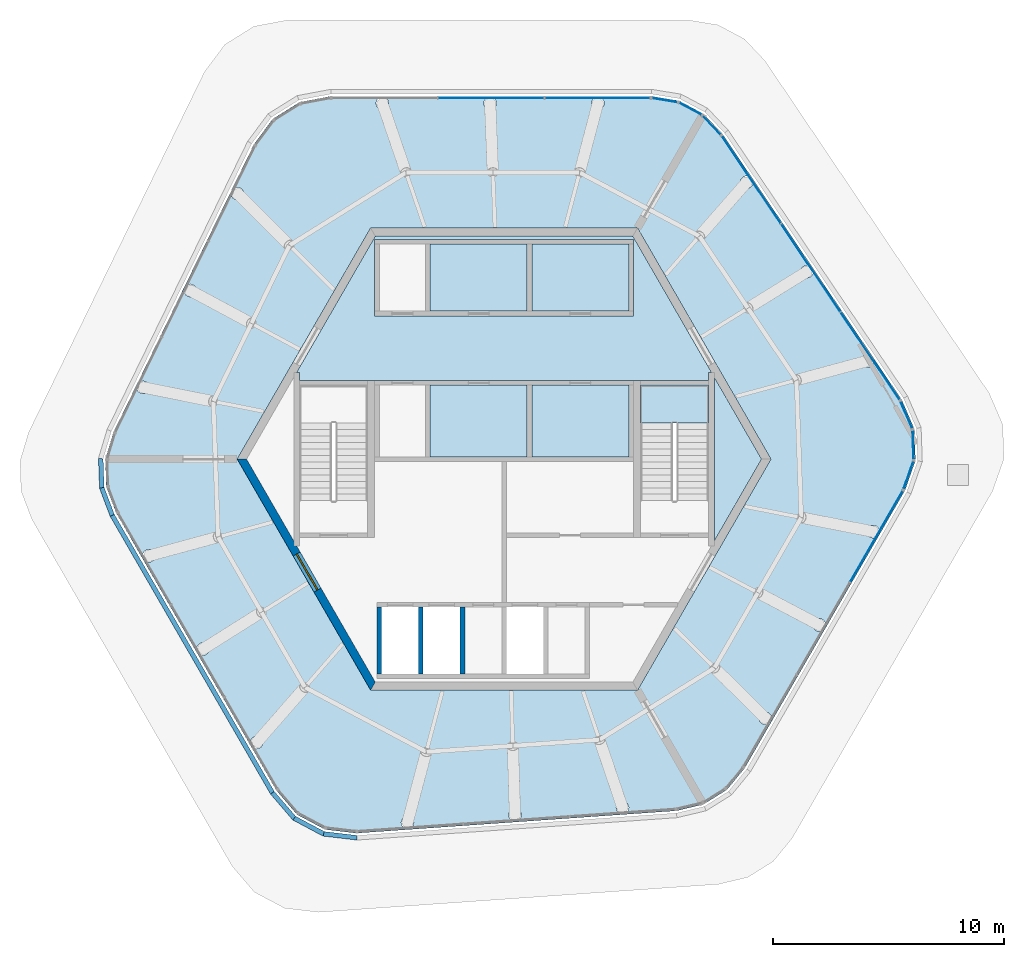
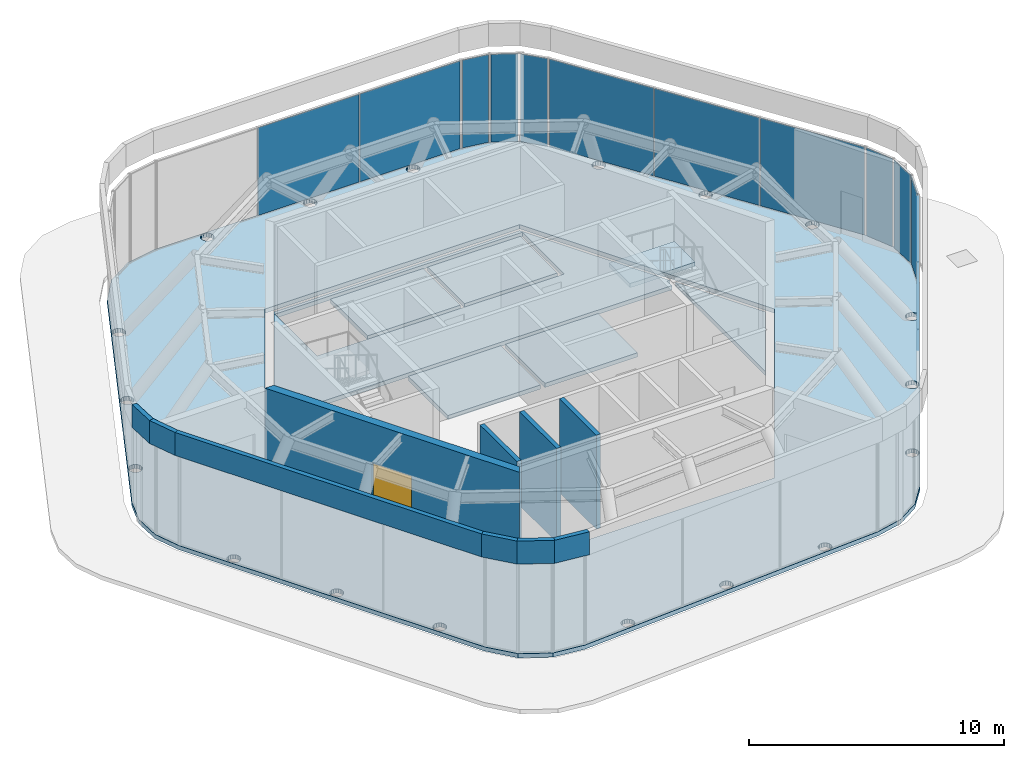
# One storey, part 6 of 9: 12 plates, 10 walls, 8 slabs, 1 door, 1 opening, 10 elements without a shape of their own.
"""IFC4 building model written with IfcOpenShell, lengths in metres."""

from ifc_helpers import new_model, si_unit, direction, frame, frame_2d, origin, origin_2d, place, context, subcontext, project, spatial, polyline, rectangle, outline, extrude, material, layer, layer_set, type_object, element, fill, aggregate, save


model = new_model("IFC4")

# Units and contexts
model_context = context("Model", 3, precision=1e-05, world=origin(), true_north=direction((0.0, 1.0)))
body_context = subcontext(model_context, "Body", "Model", "MODEL_VIEW")
ifc_project = project(units=[si_unit("LENGTHUNIT", "METRE"), si_unit("AREAUNIT", "SQUARE_METRE"), si_unit("VOLUMEUNIT", "CUBIC_METRE"), si_unit("PLANEANGLEUNIT", "RADIAN"), si_unit("MASSUNIT", "GRAM", prefix="KILO")], contexts=[model_context])

# Site, building, storey
site_placement = place(None, origin())
site = spatial("IfcSite", under=ifc_project, at=site_placement, CompositionType="ELEMENT")
building_placement = place(site_placement, origin())
building = spatial("IfcBuilding", under=site, at=building_placement, Name="Tarnside Tower", CompositionType="ELEMENT")
storey_placement = place(building_placement, frame((0.0, 0.0, 397.199951171875)))
storey = spatial("IfcBuildingStorey", under=building, at=storey_placement, Name="L94", CompositionType="ELEMENT", Elevation=397.199951171875)

# Slabs
ifc_material_1 = material(Name="Concrete C35/45", Category="concrete")
ifc_layer_1 = layer(ifc_material_1, 0.199951171875)
ifc_layer_set_1 = layer_set([ifc_layer_1], Name="Composite floor slab 200")
slab_type_1 = type_object("IfcSlabType", Name="Composite floor slab 200", PredefinedType="FLOOR", material=ifc_layer_set_1)
slab_1_placement = place(storey_placement, frame((0.0, 0.0, -0.199951171875)))
element("IfcSlab", 1, at=slab_1_placement, inside=storey, type_object=slab_type_1, Name="Floor slab L94", PredefinedType="FLOOR", context=body_context, shape_type="SweptSolid", body=[
    extrude(outline(polyline([(-16.908203125, 1.147705078125), (-10.823974609375, 13.6220703125), (-10.006103515625, 14.720703125), (-8.844482421875, 15.446533203125), (-7.498291015625, 15.699951171875), (6.380615234375, 15.699951171875), (7.564697265625, 15.50537109375), (8.62451171875, 14.94189453125), (9.447998046875, 14.069091796875), (17.208984375, 2.562744140625), (17.75146484375, 1.30517578125), (17.79931640625, -0.063720703125), (17.345703125, -1.356201171875), (10.40625, -13.375732421875), (9.645751953125, -14.303955078125), (8.6279296875, -14.93994140625), (7.460205078125, -15.216796875), (-6.385009765625, -16.184814453125), (-7.745361328125, -16.02587890625), (-8.954833984375, -15.3828125), (-9.847412109375, -14.34375), (-16.786865234375, -2.32421875), (-17.21044921875, -1.201416015625), (-17.252197265625, -0.001953125), (-16.908203125, 1.147705078125)]), holes=[polyline([(-11.547119140625, 0.0), (-5.7734375, -10.0), (5.7734375, -10.0), (11.547119140625, 0.0), (5.7734375, 10.0), (-5.7734375, 10.0), (-11.547119140625, 0.0)]), polyline([(4.25390625, 15.59375), (4.1650390625, 15.653076171875), (4.060302734375, 15.674072265625), (3.955322265625, 15.653076171875), (3.866455078125, 15.59375), (3.80712890625, 15.5048828125), (3.786376953125, 15.39990234375), (3.80712890625, 15.295166015625), (3.866455078125, 15.206298828125), (3.955322265625, 15.14697265625), (4.060302734375, 15.1259765625), (4.1650390625, 15.14697265625), (4.25390625, 15.206298828125), (4.3134765625, 15.295166015625), (4.334228515625, 15.39990234375), (4.3134765625, 15.5048828125), (4.25390625, 15.59375)]), polyline([(-0.350341796875, 15.5048828125), (-0.40966796875, 15.59375), (-0.49853515625, 15.653076171875), (-0.603515625, 15.674072265625), (-0.708251953125, 15.653076171875), (-0.797119140625, 15.59375), (-0.856689453125, 15.5048828125), (-0.87744140625, 15.39990234375), (-0.856689453125, 15.295166015625), (-0.797119140625, 15.206298828125), (-0.708251953125, 15.14697265625), (-0.603515625, 15.1259765625), (-0.49853515625, 15.14697265625), (-0.40966796875, 15.206298828125), (-0.350341796875, 15.295166015625), (-0.329345703125, 15.39990234375), (-0.350341796875, 15.5048828125)]), polyline([(-4.9931640625, 15.39990234375), (-5.013916015625, 15.5048828125), (-5.073486328125, 15.59375), (-5.162353515625, 15.653076171875), (-5.26708984375, 15.674072265625), (-5.3720703125, 15.653076171875), (-5.4609375, 15.59375), (-5.520263671875, 15.5048828125), (-5.541259765625, 15.39990234375), (-5.520263671875, 15.295166015625), (-5.4609375, 15.206298828125), (-5.3720703125, 15.14697265625), (-5.26708984375, 15.1259765625), (-5.162353515625, 15.14697265625), (-5.073486328125, 15.206298828125), (-5.013916015625, 15.295166015625), (-4.9931640625, 15.39990234375)]), polyline([(-11.279296875, 11.380126953125), (-11.258544921875, 11.485107421875), (-11.279296875, 11.58984375), (-11.338623046875, 11.6787109375), (-11.427490234375, 11.738037109375), (-11.532470703125, 11.759033203125), (-11.63720703125, 11.738037109375), (-11.726318359375, 11.6787109375), (-11.78564453125, 11.58984375), (-11.806396484375, 11.485107421875), (-11.78564453125, 11.380126953125), (-11.726318359375, 11.291259765625), (-11.63720703125, 11.23193359375), (-11.532470703125, 11.2109375), (-11.427490234375, 11.23193359375), (-11.338623046875, 11.291259765625), (-11.279296875, 11.380126953125)]), polyline([(-13.38330078125, 7.099609375), (-13.32373046875, 7.1884765625), (-13.302978515625, 7.293212890625), (-13.32373046875, 7.398193359375), (-13.38330078125, 7.487060546875), (-13.471923828125, 7.54638671875), (-13.576904296875, 7.5673828125), (-13.681884765625, 7.54638671875), (-13.770751953125, 7.487060546875), (-13.830078125, 7.398193359375), (-13.850830078125, 7.293212890625), (-13.830078125, 7.1884765625), (-13.770751953125, 7.099609375), (-13.681884765625, 7.0400390625), (-13.576904296875, 7.019287109375), (-13.471923828125, 7.0400390625), (-13.38330078125, 7.099609375)]), polyline([(-15.5166015625, 2.848388671875), (-15.427490234375, 2.90771484375), (-15.3681640625, 2.99658203125), (-15.347412109375, 3.1015625), (-15.3681640625, 3.206298828125), (-15.427490234375, 3.29541015625), (-15.5166015625, 3.354736328125), (-15.621337890625, 3.37548828125), (-15.726318359375, 3.354736328125), (-15.815185546875, 3.29541015625), (-15.87451171875, 3.206298828125), (-15.895263671875, 3.1015625), (-15.87451171875, 2.99658203125), (-15.815185546875, 2.90771484375), (-15.726318359375, 2.848388671875), (-15.621337890625, 2.827392578125), (-15.5166015625, 2.848388671875)]), polyline([(-15.366943359375, -4.457763671875), (-15.26220703125, -4.436767578125), (-15.173095703125, -4.37744140625), (-15.11376953125, -4.28857421875), (-15.093017578125, -4.18359375), (-15.11376953125, -4.078857421875), (-15.173095703125, -3.989990234375), (-15.26220703125, -3.9306640625), (-15.366943359375, -3.90966796875), (-15.4716796875, -3.9306640625), (-15.560791015625, -3.989990234375), (-15.6201171875, -4.078857421875), (-15.640869140625, -4.18359375), (-15.6201171875, -4.28857421875), (-15.560791015625, -4.37744140625), (-15.4716796875, -4.436767578125), (-15.366943359375, -4.457763671875)]), polyline([(-13.139892578125, -8.4755859375), (-13.03515625, -8.49658203125), (-12.93017578125, -8.4755859375), (-12.84130859375, -8.416259765625), (-12.781982421875, -8.327392578125), (-12.760986328125, -8.22265625), (-12.781982421875, -8.11767578125), (-12.84130859375, -8.02880859375), (-12.93017578125, -7.969482421875), (-13.03515625, -7.948486328125), (-13.139892578125, -7.969482421875), (-13.228759765625, -8.02880859375), (-13.2880859375, -8.11767578125), (-13.30908203125, -8.22265625), (-13.2880859375, -8.327392578125), (-13.228759765625, -8.416259765625), (-13.139892578125, -8.4755859375)]), polyline([(-10.89697265625, -12.455078125), (-10.80810546875, -12.5146484375), (-10.703125, -12.535400390625), (-10.598388671875, -12.5146484375), (-10.509521484375, -12.455078125), (-10.4501953125, -12.366455078125), (-10.42919921875, -12.261474609375), (-10.4501953125, -12.156494140625), (-10.509521484375, -12.06787109375), (-10.598388671875, -12.00830078125), (-10.703125, -11.987548828125), (-10.80810546875, -12.00830078125), (-10.89697265625, -12.06787109375), (-10.956298828125, -12.156494140625), (-10.977294921875, -12.261474609375), (-10.956298828125, -12.366455078125), (-10.89697265625, -12.455078125)]), polyline([(-4.43310546875, -15.834716796875), (-4.373779296875, -15.923583984375), (-4.284912109375, -15.98291015625), (-4.18017578125, -16.00390625), (-4.0751953125, -15.98291015625), (-3.986328125, -15.923583984375), (-3.927001953125, -15.834716796875), (-3.906005859375, -15.72998046875), (-3.927001953125, -15.625), (-3.986328125, -15.5361328125), (-4.0751953125, -15.476806640625), (-4.18017578125, -15.455810546875), (-4.284912109375, -15.476806640625), (-4.373779296875, -15.5361328125), (-4.43310546875, -15.625), (-4.4541015625, -15.72998046875), (-4.43310546875, -15.834716796875)]), polyline([(0.1982421875, -15.404541015625), (0.21923828125, -15.509521484375), (0.278564453125, -15.598388671875), (0.367431640625, -15.65771484375), (0.472412109375, -15.6787109375), (0.5771484375, -15.65771484375), (0.666015625, -15.598388671875), (0.725341796875, -15.509521484375), (0.746337890625, -15.404541015625), (0.725341796875, -15.2998046875), (0.666015625, -15.210693359375), (0.5771484375, -15.1513671875), (0.472412109375, -15.130615234375), (0.367431640625, -15.1513671875), (0.278564453125, -15.210693359375), (0.21923828125, -15.2998046875), (0.1982421875, -15.404541015625)]), polyline([(4.87158203125, -14.974365234375), (4.8505859375, -15.079345703125), (4.87158203125, -15.18408203125), (4.930908203125, -15.27294921875), (5.019775390625, -15.33251953125), (5.124755859375, -15.353271484375), (5.2294921875, -15.33251953125), (5.318359375, -15.27294921875), (5.377685546875, -15.18408203125), (5.398681640625, -15.079345703125), (5.377685546875, -14.974365234375), (5.318359375, -14.885498046875), (5.2294921875, -14.826171875), (5.124755859375, -14.805419921875), (5.019775390625, -14.826171875), (4.930908203125, -14.885498046875), (4.87158203125, -14.974365234375)]), polyline([(11.11279296875, -11.022705078125), (11.053466796875, -11.111572265625), (11.03271484375, -11.21630859375), (11.053466796875, -11.3212890625), (11.11279296875, -11.41015625), (11.201904296875, -11.469482421875), (11.306640625, -11.490234375), (11.41162109375, -11.469482421875), (11.50048828125, -11.41015625), (11.559814453125, -11.3212890625), (11.580810546875, -11.21630859375), (11.559814453125, -11.111572265625), (11.50048828125, -11.022705078125), (11.41162109375, -10.963134765625), (11.306640625, -10.9423828125), (11.201904296875, -10.963134765625), (11.11279296875, -11.022705078125)]), polyline([(13.53369140625, -6.92431640625), (13.44482421875, -6.983642578125), (13.385498046875, -7.072509765625), (13.364501953125, -7.177490234375), (13.385498046875, -7.2822265625), (13.44482421875, -7.37109375), (13.53369140625, -7.430419921875), (13.638427734375, -7.451416015625), (13.743408203125, -7.430419921875), (13.832275390625, -7.37109375), (13.8916015625, -7.2822265625), (13.91259765625, -7.177490234375), (13.8916015625, -7.072509765625), (13.832275390625, -6.983642578125), (13.743408203125, -6.92431640625), (13.638427734375, -6.9033203125), (13.53369140625, -6.92431640625)]), polyline([(15.970458984375, -2.864501953125), (15.865478515625, -2.885498046875), (15.776611328125, -2.94482421875), (15.71728515625, -3.03369140625), (15.6962890625, -3.138427734375), (15.71728515625, -3.243408203125), (15.776611328125, -3.332275390625), (15.865478515625, -3.3916015625), (15.970458984375, -3.41259765625), (16.0751953125, -3.3916015625), (16.1640625, -3.332275390625), (16.223388671875, -3.243408203125), (16.244384765625, -3.138427734375), (16.223388671875, -3.03369140625), (16.1640625, -2.94482421875), (16.0751953125, -2.885498046875), (15.970458984375, -2.864501953125)]), polyline([(15.8173828125, 4.498046875), (15.71240234375, 4.518798828125), (15.607666015625, 4.498046875), (15.518798828125, 4.438720703125), (15.45947265625, 4.349853515625), (15.4384765625, 4.244873046875), (15.45947265625, 4.14013671875), (15.518798828125, 4.05126953125), (15.607666015625, 3.99169921875), (15.71240234375, 3.970947265625), (15.8173828125, 3.99169921875), (15.90625, 4.05126953125), (15.9658203125, 4.14013671875), (15.986572265625, 4.244873046875), (15.9658203125, 4.349853515625), (15.90625, 4.438720703125), (15.8173828125, 4.498046875)]), polyline([(13.29833984375, 8.30517578125), (13.20947265625, 8.364501953125), (13.1044921875, 8.38525390625), (12.999755859375, 8.364501953125), (12.910888671875, 8.30517578125), (12.8515625, 8.21630859375), (12.83056640625, 8.111328125), (12.8515625, 8.006591796875), (12.910888671875, 7.91748046875), (12.999755859375, 7.858154296875), (13.1044921875, 7.83740234375), (13.20947265625, 7.858154296875), (13.29833984375, 7.91748046875), (13.35791015625, 8.006591796875), (13.378662109375, 8.111328125), (13.35791015625, 8.21630859375), (13.29833984375, 8.30517578125)]), polyline([(10.749755859375, 12.08251953125), (10.6904296875, 12.17138671875), (10.6015625, 12.23095703125), (10.49658203125, 12.251708984375), (10.391845703125, 12.23095703125), (10.302978515625, 12.17138671875), (10.243408203125, 12.08251953125), (10.22265625, 11.977783203125), (10.243408203125, 11.872802734375), (10.302978515625, 11.783935546875), (10.391845703125, 11.724609375), (10.49658203125, 11.70361328125), (10.6015625, 11.724609375), (10.6904296875, 11.783935546875), (10.749755859375, 11.872802734375), (10.770751953125, 11.977783203125), (10.749755859375, 12.08251953125)])]), origin(), (0.0, 0.0, 1.0), 0.199951171875),
])
ifc_material_2 = material(Name="Concrete C40/50", Category="concrete")
ifc_layer_2 = layer(ifc_material_2, 0.199951171875)
ifc_layer_set_2 = layer_set([ifc_layer_2], Name="Core crown slab C40/50")
slab_type_2 = type_object("IfcSlabType", Name="Core crown slab C40/50", PredefinedType="FLOOR", material=ifc_layer_set_2)
slab_2_placement = place(storey_placement, frame((0.0, 0.0, -0.199951171875)))
element("IfcSlab", 2, at=slab_2_placement, inside=storey, type_object=slab_type_2, Name="L94 core floor slab 1", PredefinedType="FLOOR", context=body_context, shape_type="SweptSolid", body=[
    extrude(outline(polyline([(5.5712890625, 9.64990234375), (8.97509765625, 3.7548828125), (8.85009765625, 3.7548828125), (8.85009765625, 3.39990234375), (5.89990234375, 3.39990234375), (5.60009765625, 3.39990234375), (-5.60009765625, 3.39990234375), (-5.89990234375, 3.39990234375), (-8.85009765625, 3.39990234375), (-8.85009765625, 3.7548828125), (-8.97509765625, 3.7548828125), (-5.5712890625, 9.64990234375), (5.5712890625, 9.64990234375)]), holes=[polyline([(-5.60009765625, 6.199951171875), (5.60009765625, 6.199951171875), (5.60009765625, 6.39990234375), (5.60009765625, 9.300048828125), (5.60009765625, 9.5), (-5.60009765625, 9.5), (-5.60009765625, 9.300048828125), (-5.60009765625, 6.39990234375), (-5.60009765625, 6.199951171875)])]), origin(), (0.0, 0.0, 1.0), 0.199951171875),
])
slab_3_placement = place(storey_placement, frame((0.0, 0.0, -0.199951171875)))
element("IfcSlab", 3, at=slab_3_placement, inside=storey, type_object=slab_type_2, Name="L94 core floor slab 4", PredefinedType="FLOOR", context=body_context, shape_type="SweptSolid", body=[
    extrude(outline(polyline([(9.10009765625, 3.538330078125), (11.142822265625, 0.0), (9.10009765625, -3.538330078125), (9.10009765625, 3.538330078125)])), origin(), (0.0, 0.0, 1.0), 0.199951171875),
])
slab_4_placement = place(storey_placement, frame((0.0, 0.0, -0.199951171875)))
element("IfcSlab", 4, at=slab_4_placement, inside=storey, type_object=slab_type_2, Name="L94 core floor slab 7", PredefinedType="FLOOR", context=body_context, shape_type="SweptSolid", body=[
    extrude(outline(polyline([(1.0, 3.199951171875), (1.0, 0.10009765625), (-3.199951171875, 0.10009765625), (-3.199951171875, 3.199951171875), (1.0, 3.199951171875)])), origin(), (0.0, 0.0, 1.0), 0.199951171875),
])
slab_5_placement = place(storey_placement, frame((0.0, 0.0, -0.199951171875)))
element("IfcSlab", 5, at=slab_5_placement, inside=storey, type_object=slab_type_2, Name="L94 core floor slab 8", PredefinedType="FLOOR", context=body_context, shape_type="SweptSolid", body=[
    extrude(outline(polyline([(1.199951171875, 3.199951171875), (5.39990234375, 3.199951171875), (5.39990234375, 0.10009765625), (1.199951171875, 0.10009765625), (1.199951171875, 3.199951171875)])), origin(), (0.0, 0.0, 1.0), 0.199951171875),
])
slab_6_placement = place(storey_placement, frame((0.0, 0.0, -0.199951171875)))
element("IfcSlab", 6, at=slab_6_placement, inside=storey, type_object=slab_type_2, Name="L94 core floor slab 13", PredefinedType="FLOOR", context=body_context, shape_type="SweptSolid", body=[
    extrude(outline(polyline([(1.0, 9.300048828125), (1.0, 6.39990234375), (-3.199951171875, 6.39990234375), (-3.199951171875, 9.300048828125), (1.0, 9.300048828125)])), origin(), (0.0, 0.0, 1.0), 0.199951171875),
])
slab_7_placement = place(storey_placement, frame((0.0, 0.0, -0.199951171875)))
element("IfcSlab", 7, at=slab_7_placement, inside=storey, type_object=slab_type_2, Name="L94 core floor slab 14", PredefinedType="FLOOR", context=body_context, shape_type="SweptSolid", body=[
    extrude(outline(polyline([(5.39990234375, 6.39990234375), (1.199951171875, 6.39990234375), (1.199951171875, 9.300048828125), (5.39990234375, 9.300048828125), (5.39990234375, 6.39990234375)])), origin(), (0.0, 0.0, 1.0), 0.199951171875),
])

# Curtain wall, plate
ifc_material_3 = material(Name="Crown glazing wall", Category="glass")
curtain_wall_type = type_object("IfcCurtainWallType", Name="Crown glazing wall", PredefinedType="NOTDEFINED", material=ifc_material_3)
curtain_wall_1_placement = place(storey_placement, origin())
curtain_wall_1 = element("IfcCurtainWall", 8, at=curtain_wall_1_placement, inside=storey, type_object=curtain_wall_type, Name="Crown glazing L94 01", PredefinedType="NOTDEFINED")
ifc_material_4 = material(Name="Low-iron safety glass", Category="glass")
ifc_layer_3 = layer(ifc_material_4, 0.028076171875)
ifc_layer_set_3 = layer_set([ifc_layer_3], Name="Crown glazing panel 28")
plate_type_1 = type_object("IfcPlateType", Name="Crown glazing panel 28", PredefinedType="CURTAIN_PANEL", material=ifc_layer_set_3)
plate_1_placement = place(storey_placement, frame((6.951904296875, 15.533203125, 0.05029296875), z_axis=(0.0, 0.0, 1.0), x_axis=(0.986761532077, -0.162177923324, 0.0)))
plate_1 = element("IfcPlate", 9, at=plate_1_placement, type_object=plate_type_1, Name="CW6 panel 1.1", PredefinedType="CURTAIN_PANEL", context=body_context, shape_type="SweptSolid", body=[
    extrude(rectangle(XDim=1.0947265625, YDim=0.028076171875, at=origin_2d()), origin(), (0.0, 0.0, 1.0), 4.199951171875),
])
aggregate(curtain_wall_1, [plate_1])

curtain_wall_2_placement = place(storey_placement, origin())
curtain_wall_2 = element("IfcCurtainWall", 10, at=curtain_wall_2_placement, inside=storey, type_object=curtain_wall_type, Name="Crown glazing L94 02", PredefinedType="NOTDEFINED")
plate_2_placement = place(storey_placement, frame((8.060791015625, 15.16015625, 0.05029296875), z_axis=(0.0, 0.0, 1.0), x_axis=(0.882947592916, -0.469471562678, 0.0)))
plate_2 = element("IfcPlate", 11, at=plate_2_placement, type_object=plate_type_1, Name="CW6 panel 1.1", PredefinedType="CURTAIN_PANEL", context=body_context, shape_type="SweptSolid", body=[
    extrude(rectangle(XDim=1.076416015625, YDim=0.028076171875, at=origin_2d()), origin(), (0.0, 0.0, 1.0), 4.199951171875),
])
aggregate(curtain_wall_2, [plate_2])

curtain_wall_3_placement = place(storey_placement, origin())
curtain_wall_3 = element("IfcCurtainWall", 12, at=curtain_wall_3_placement, inside=storey, type_object=curtain_wall_type, Name="Crown glazing L94 03", PredefinedType="NOTDEFINED")
plate_3_placement = place(storey_placement, frame((8.989990234375, 14.449462890625, 0.05029296875), z_axis=(0.0, 0.0, 1.0), x_axis=(0.686241638042, -0.727373641409, 0.0)))
plate_3 = element("IfcPlate", 13, at=plate_3_placement, type_object=plate_type_1, Name="CW6 panel 1.1", PredefinedType="CURTAIN_PANEL", context=body_context, shape_type="SweptSolid", body=[
    extrude(rectangle(XDim=1.0947265625, YDim=0.028076171875, at=origin_2d()), origin(), (0.0, 0.0, 1.0), 4.199951171875),
])
aggregate(curtain_wall_3, [plate_3])

curtain_wall_4_placement = place(storey_placement, origin())
curtain_wall_4 = element("IfcCurtainWall", 14, at=curtain_wall_4_placement, inside=storey, type_object=curtain_wall_type, Name="Crown glazing L94 05", PredefinedType="NOTDEFINED")
plate_4_placement = place(storey_placement, frame((17.409423828125, 1.914794921875, 0.05029296875), z_axis=(0.0, 0.0, 1.0), x_axis=(0.396079766194, -0.918216106813, 0.0)))
plate_4 = element("IfcPlate", 15, at=plate_4_placement, type_object=plate_type_1, Name="CW6 panel 1.1", PredefinedType="CURTAIN_PANEL", context=body_context, shape_type="SweptSolid", body=[
    extrude(rectangle(XDim=1.26318359375, YDim=0.028076171875, at=origin_2d()), origin(), (0.0, 0.0, 1.0), 4.199951171875),
])
aggregate(curtain_wall_4, [plate_4])

curtain_wall_5_placement = place(storey_placement, origin())
curtain_wall_5 = element("IfcCurtainWall", 16, at=curtain_wall_5_placement, inside=storey, type_object=curtain_wall_type, Name="Crown glazing L94 06", PredefinedType="NOTDEFINED")
plate_5_placement = place(storey_placement, frame((17.702880859375, 0.6181640625, 0.05029296875), z_axis=(0.0, 0.0, 1.0), x_axis=(0.034899497121, -0.999390827004, 0.0)))
plate_5 = element("IfcPlate", 17, at=plate_5_placement, type_object=plate_type_1, Name="CW6 panel 1.1", PredefinedType="CURTAIN_PANEL", context=body_context, shape_type="SweptSolid", body=[
    extrude(rectangle(XDim=1.242431640625, YDim=0.028076171875, at=origin_2d()), origin(), (0.0, 0.0, 1.0), 4.199951171875),
])
aggregate(curtain_wall_5, [plate_5])

curtain_wall_6_placement = place(storey_placement, origin())
curtain_wall_6 = element("IfcCurtainWall", 18, at=curtain_wall_6_placement, inside=storey, type_object=curtain_wall_type, Name="Crown glazing L94 07", PredefinedType="NOTDEFINED")
plate_6_placement = place(storey_placement, frame((17.50048828125, -0.69580078125, 0.05029296875), z_axis=(0.0, 0.0, 1.0), x_axis=(-0.331063417797, -0.943608506424, 0.0)))
plate_6 = element("IfcPlate", 19, at=plate_6_placement, type_object=plate_type_1, Name="CW6 panel 1.1", PredefinedType="CURTAIN_PANEL", context=body_context, shape_type="SweptSolid", body=[
    extrude(rectangle(XDim=1.26318359375, YDim=0.028076171875, at=origin_2d()), origin(), (0.0, 0.0, 1.0), 4.199951171875),
])
aggregate(curtain_wall_6, [plate_6])

# Curtain wall, plates
curtain_wall_7_placement = place(storey_placement, origin())
curtain_wall_7 = element("IfcCurtainWall", 20, at=curtain_wall_7_placement, inside=storey, type_object=curtain_wall_type, Name="Crown glazing L94 00", PredefinedType="NOTDEFINED")
ifc_material_5 = material(Name="Insulated aluminium panel", Category="aluminium")
ifc_layer_4 = layer(ifc_material_5, 0.028076171875)
ifc_layer_set_4 = layer_set([ifc_layer_4], Name="Crown glazing spandrel panel 28")
plate_type_2 = type_object("IfcPlateType", Name="Crown glazing spandrel panel 28", PredefinedType="CURTAIN_PANEL", material=ifc_layer_set_4)
plate_7_placement = place(storey_placement, frame((-0.5576171875, 15.6298828125, 0.05029296875), z_axis=(0.0, 0.0, 1.0), x_axis=(1.0, 0.0, 0.0)))
plate_7 = element("IfcPlate", 21, at=plate_7_placement, type_object=plate_type_2, Name="CW6 panel 2.1", PredefinedType="CURTAIN_PANEL", context=body_context, shape_type="SweptSolid", body=[
    extrude(rectangle(XDim=4.5634765625, YDim=0.028076171875, at=origin_2d()), origin(), (0.0, 0.0, 1.0), 4.199951171875),
])
plate_8_placement = place(storey_placement, frame((4.043212890625, 15.6298828125, 0.05029296875), z_axis=(0.0, 0.0, 1.0), x_axis=(1.0, 0.0, 0.0)))
plate_8 = element("IfcPlate", 22, at=plate_8_placement, type_object=plate_type_2, Name="CW6 panel 3.1", PredefinedType="CURTAIN_PANEL", context=body_context, shape_type="SweptSolid", body=[
    extrude(rectangle(XDim=4.53857421875, YDim=0.028076171875, at=origin_2d()), origin(), (0.0, 0.0, 1.0), 4.199951171875),
])
aggregate(curtain_wall_7, [plate_7, plate_8])

curtain_wall_8_placement = place(storey_placement, origin())
curtain_wall_8 = element("IfcCurtainWall", 23, at=curtain_wall_8_placement, inside=storey, type_object=curtain_wall_type, Name="Crown glazing L94 04", PredefinedType="NOTDEFINED")
plate_9_placement = place(storey_placement, frame((10.69677734375, 12.09228515625, 0.05029296875), z_axis=(0.0, 0.0, 1.0), x_axis=(0.559192903442, -0.829037572575, 0.0)))
plate_9 = element("IfcPlate", 24, at=plate_9_placement, type_object=plate_type_2, Name="CW6 panel 1.1", PredefinedType="CURTAIN_PANEL", context=body_context, shape_type="SweptSolid", body=[
    extrude(rectangle(XDim=4.53857421875, YDim=0.028076171875, at=origin_2d()), origin(), (0.0, 0.0, 1.0), 4.199951171875),
])
plate_10_placement = place(storey_placement, frame((13.269775390625, 8.27783203125, 0.05029296875), z_axis=(0.0, 0.0, 1.0), x_axis=(0.559192903442, -0.829037572575, 0.0)))
plate_10 = element("IfcPlate", 25, at=plate_10_placement, type_object=plate_type_2, Name="CW6 panel 2.1", PredefinedType="CURTAIN_PANEL", context=body_context, shape_type="SweptSolid", body=[
    extrude(rectangle(XDim=4.5634765625, YDim=0.028076171875, at=origin_2d()), origin(), (0.0, 0.0, 1.0), 4.199951171875),
])
plate_11_placement = place(storey_placement, frame((15.842529296875, 4.46337890625, 0.05029296875), z_axis=(0.0, 0.0, 1.0), x_axis=(0.559192903442, -0.829037572575, 0.0)))
plate_11 = element("IfcPlate", 26, at=plate_11_placement, type_object=plate_type_2, Name="CW6 panel 3.1", PredefinedType="CURTAIN_PANEL", context=body_context, shape_type="SweptSolid", body=[
    extrude(rectangle(XDim=4.53857421875, YDim=0.028076171875, at=origin_2d()), origin(), (0.0, 0.0, 1.0), 4.199951171875),
])
aggregate(curtain_wall_8, [plate_9, plate_10, plate_11])

# Curtain wall, plate
curtain_wall_9_placement = place(storey_placement, origin())
curtain_wall_9 = element("IfcCurtainWall", 27, at=curtain_wall_9_placement, inside=storey, type_object=curtain_wall_type, Name="Crown glazing L94 08", PredefinedType="NOTDEFINED")
plate_12_placement = place(storey_placement, frame((16.115234375, -3.347412109375, 0.05029296875), z_axis=(0.0, 0.0, 1.0), x_axis=(-0.500000000015, -0.866025403776, 0.0)))
plate_12 = element("IfcPlate", 28, at=plate_12_placement, type_object=plate_type_2, Name="CW6 panel 1.1", PredefinedType="CURTAIN_PANEL", context=body_context, shape_type="SweptSolid", body=[
    extrude(rectangle(XDim=4.53857421875, YDim=0.028076171875, at=origin_2d()), origin(), (0.0, 0.0, 1.0), 4.199951171875),
])
aggregate(curtain_wall_9, [plate_12])

# Stair, slab
stair_type = type_object("IfcStairType", Name="Exit stair 1400 clear", PredefinedType="HALF_TURN_STAIR", material=ifc_material_2)
stair_placement = place(storey_placement, origin())
stair = element("IfcStair", 29, at=stair_placement, inside=storey, type_object=stair_type, Name="L94 Exit stair 1", PredefinedType="HALF_TURN_STAIR")
ifc_layer_5 = layer(ifc_material_2, 0.199951171875)
ifc_layer_set_5 = layer_set([ifc_layer_5], Name="Stair landing 200 C40/50")
slab_type_3 = type_object("IfcSlabType", Name="Stair landing 200 C40/50", PredefinedType="LANDING", material=ifc_layer_set_5)
slab_8_placement = place(storey_placement, frame((0.0, 0.0, 2.050048828125)))
slab_8 = element("IfcSlab", 30, at=slab_8_placement, type_object=slab_type_3, Name="ST1 landing 1", PredefinedType="LANDING", context=body_context, shape_type="SweptSolid", body=[
    extrude(outline(polyline([(8.85009765625, 1.56005859375), (8.85009765625, 3.199951171875), (5.89990234375, 3.199951171875), (5.89990234375, 1.56005859375), (8.85009765625, 1.56005859375)])), origin(), (0.0, 0.0, 1.0), 0.199951171875),
])
aggregate(stair, [slab_8])

# Wall, opening, door
ifc_material_6 = material(Name="Concrete C50/60", Category="concrete")
ifc_layer_6 = layer(ifc_material_6, 0.35009765625)
ifc_layer_set_6 = layer_set([ifc_layer_6], Name="Core wall Z4 350 C50/60")
wall_type_1 = type_object("IfcWallType", Name="Core wall Z4 350 C50/60", PredefinedType="SHEAR", material=ifc_layer_set_6)
wall_1_placement = place(storey_placement, frame((-11.344970703125, 0.0, -0.199951171875), z_axis=(0.0, 0.0, 1.0), x_axis=(0.499995046907, -0.866028263435, 0.0)))
wall_1 = element("IfcWall", 31, at=wall_1_placement, inside=storey, type_object=wall_type_1, Name="L94 core wall face 3", PredefinedType="SHEAR", context=body_context, shape_type="SweptSolid", body=[
    extrude(outline(polyline([(-0.10107421875, -0.175048828125), (11.44580078125, -0.175048828125), (11.24365234375, 0.175048828125), (0.10107421875, 0.175048828125), (-0.10107421875, -0.175048828125)])), origin(), (0.0, 0.0, 1.0), 4.5),
])
opening_placement = place(wall_1_placement, frame((4.74365234375, 0.0, 0.199951171875)))
opening = element("IfcOpeningElement", 32, at=opening_placement, cuts=wall_1, Name="Opening CD-FFL", PredefinedType="OPENING", context=body_context, shape_type="SweptSolid", body=[
    extrude(rectangle(XDim=1.800048828125, YDim=2.39990234375, at=frame_2d((0.89990234375, 1.199951171875))), frame((0.0, 0.18505859375, 0.0), z_axis=(0.0, -1.0, 0.0), x_axis=(1.0, 0.0, 0.0)), (0.0, 0.0, 1.0), 0.3701171875),
])
ifc_material_7 = material(Name="Steel fire door", Category="steel")
door_type = type_object("IfcDoorType", Name="Firefighting lobby double door FD60S 1800x2400", OperationType="NOTDEFINED", PredefinedType="DOOR", material=ifc_material_7)
door_placement = place(opening_placement, origin())
door = element("IfcDoor", 33, at=door_placement, inside=storey, type_object=door_type, Name="L94 core door P3", OperationType="DOUBLE_DOOR_SINGLE_SWING", OverallHeight=2.39990234375, OverallWidth=1.800048828125, PredefinedType="DOOR", context=body_context, shape_type="SweptSolid", body=[
    extrude(rectangle(XDim=1.800048828125, YDim=2.39990234375, at=frame_2d((0.89990234375, 1.199951171875))), frame((0.0, 0.02490234375, 0.0), z_axis=(0.0, -1.0, 0.0), x_axis=(1.0, 0.0, 0.0)), (0.0, 0.0, 1.0), 0.050048828125),
])
fill(opening, door)

# Walls
ifc_layer_7 = layer(ifc_material_2, 0.199951171875)
ifc_layer_set_7 = layer_set([ifc_layer_7], Name="Lift shaft wall 200 C40/50")
wall_type_2 = type_object("IfcWallType", Name="Lift shaft wall 200 C40/50", PredefinedType="SHEAR", material=ifc_layer_set_7)
for number, where, z_axis, x_axis, name in (
    (34, (-5.39990234375, -9.300048828125, -0.199951171875), (0.0, 0.0, 1.0), (0.0, 1.0, 0.0), "L94 lift shaft partition R41"),
    (35, (-3.60009765625, -9.300048828125, -0.199951171875), (0.0, 0.0, 1.0), (0.0, 1.0, 0.0), "L94 lift shaft partition R42"),
    (36, (-1.800048828125, -9.300048828125, -0.199951171875), (0.0, 0.0, 1.0), (0.0, 1.0, 0.0), "L94 lift shaft partition R43"),
):
    element("IfcWall", number, at=place(storey_placement, frame(where, z_axis=z_axis, x_axis=x_axis)), inside=storey, type_object=wall_type_2, Name=name, PredefinedType="SHEAR", context=body_context, shape_type="SweptSolid", body=[
        extrude(rectangle(XDim=2.900146484375, YDim=0.199951171875, at=frame_2d((1.4501953125, 0.0))), origin(), (0.0, 0.0, 1.0), 4.5),
    ])
ifc_material_8 = material(Name="Concrete C35/45 precast", Category="concrete")
ifc_layer_8 = layer(ifc_material_8, 0.199951171875)
ifc_layer_set_8 = layer_set([ifc_layer_8], Name="Parapet 200 x 1100")
wall_type_3 = type_object("IfcWallType", Name="Parapet 200 x 1100", PredefinedType="PARAPET", material=ifc_layer_set_8)
wall_2_placement = place(storey_placement, frame((-6.36181640625, -16.3837890625, 4.5), z_axis=(0.0, 0.0, 1.0), x_axis=(-0.993231825369, 0.116148788514, 0.0)))
element("IfcWall", 37, at=wall_2_placement, inside=storey, type_object=wall_type_3, Name="Roof parapet 13", PredefinedType="PARAPET", context=body_context, shape_type="SweptSolid", body=[
    extrude(outline(polyline([(0.00927734375, -0.10009765625), (1.43359375, -0.10009765625), (1.47119140625, 0.10009765625), (-0.00927734375, 0.10009765625), (0.00927734375, -0.10009765625)])), origin(), (0.0, 0.0, 1.0), 1.10009765625),
])
wall_3_placement = place(storey_placement, frame((-7.804443359375, -16.215087890625, 4.5), z_axis=(0.0, 0.0, 1.0), x_axis=(-0.882946998442, 0.46947268072, 0.0)))
element("IfcWall", 38, at=wall_3_placement, inside=storey, type_object=wall_type_3, Name="Roof parapet 14", PredefinedType="PARAPET", context=body_context, shape_type="SweptSolid", body=[
    extrude(outline(polyline([(0.018798828125, -0.10009765625), (1.42431640625, -0.10009765625), (1.4619140625, 0.10009765625), (-0.018798828125, 0.10009765625), (0.018798828125, -0.10009765625)])), origin(), (0.0, 0.0, 1.0), 1.10009765625),
])
wall_4_placement = place(storey_placement, frame((-9.07861328125, -15.53759765625, 4.5), z_axis=(0.0, 0.0, 1.0), x_axis=(-0.651635311812, 0.758532412228, 0.0)))
element("IfcWall", 39, at=wall_4_placement, inside=storey, type_object=wall_type_3, Name="Roof parapet 15", PredefinedType="PARAPET", context=body_context, shape_type="SweptSolid", body=[
    extrude(outline(polyline([(0.018798828125, -0.10009765625), (1.443359375, -0.10009765625), (1.4619140625, 0.10009765625), (-0.018798828125, 0.10009765625), (0.018798828125, -0.10009765625)])), origin(), (0.0, 0.0, 1.0), 1.10009765625),
])
wall_5_placement = place(storey_placement, frame((-10.025146484375, -14.435791015625, 4.5), z_axis=(0.0, 0.0, 1.0), x_axis=(-0.500009078442, 0.86602016228, 0.0)))
element("IfcWall", 40, at=wall_5_placement, inside=storey, type_object=wall_type_3, Name="Roof parapet 16", PredefinedType="PARAPET", context=body_context, shape_type="SweptSolid", body=[
    extrude(outline(polyline([(0.00927734375, -0.10009765625), (13.853515625, -0.10009765625), (13.86962890625, 0.10009765625), (-0.00927734375, 0.10009765625), (0.00927734375, -0.10009765625)])), origin(), (0.0, 0.0, 1.0), 1.10009765625),
])
wall_6_placement = place(storey_placement, frame((-16.9560546875, -2.431396484375, 4.5), z_axis=(0.0, 0.0, 1.0), x_axis=(-0.352930531417, 0.935649528399, 0.0)))
element("IfcWall", 41, at=wall_6_placement, inside=storey, type_object=wall_type_3, Name="Roof parapet 17", PredefinedType="PARAPET", context=body_context, shape_type="SweptSolid", body=[
    extrude(outline(polyline([(0.008056640625, -0.10009765625), (1.25634765625, -0.10009765625), (1.2890625, 0.10009765625), (-0.008056640625, 0.10009765625), (0.008056640625, -0.10009765625)])), origin(), (0.0, 0.0, 1.0), 1.10009765625),
])
wall_7_placement = place(storey_placement, frame((-17.4052734375, -1.240478515625, 4.5), z_axis=(0.0, 0.0, 1.0), x_axis=(-0.034748174227, 0.999396099846, 0.0)))
element("IfcWall", 42, at=wall_7_placement, inside=storey, type_object=wall_type_3, Name="Roof parapet 18", PredefinedType="PARAPET", context=body_context, shape_type="SweptSolid", body=[
    extrude(outline(polyline([(0.016357421875, -0.10009765625), (1.248291015625, -0.10009765625), (1.281005859375, 0.10009765625), (-0.016357421875, 0.10009765625), (0.016357421875, -0.10009765625)])), origin(), (0.0, 0.0, 1.0), 1.10009765625),
])

save(model, "model.ifc")
